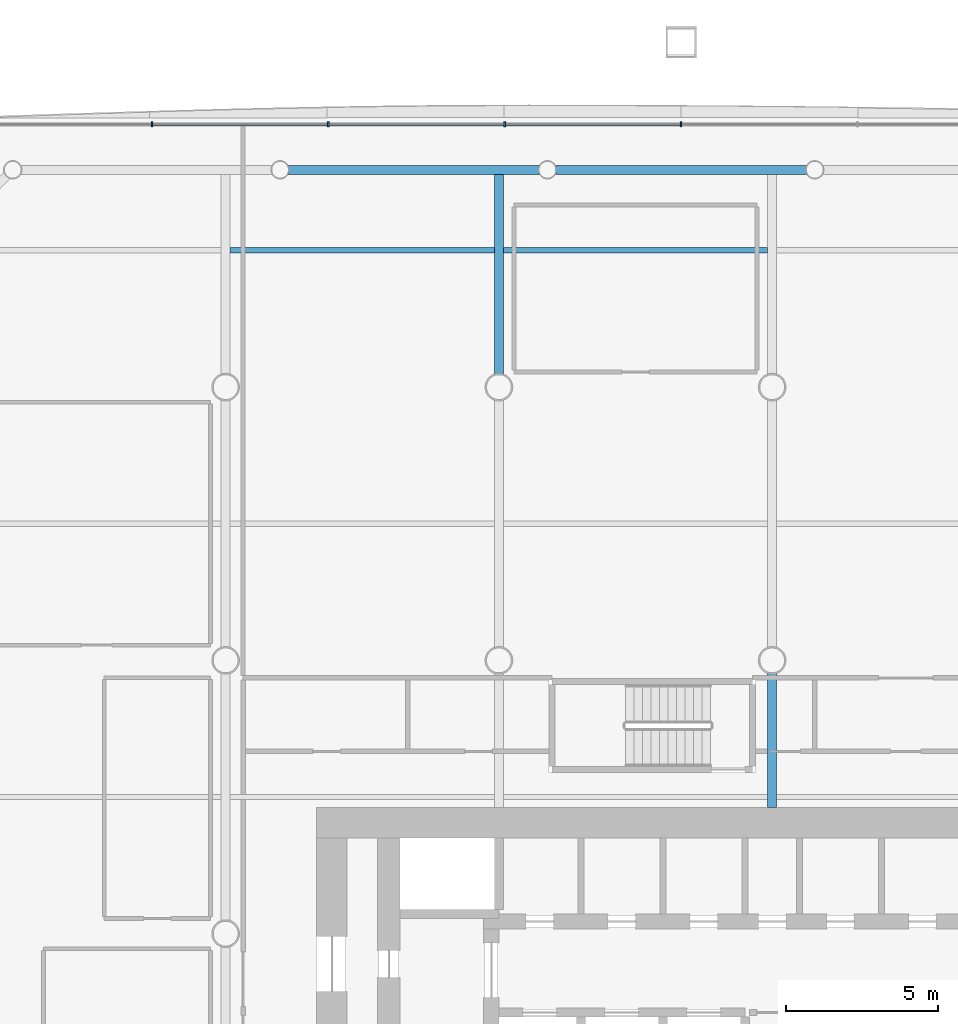
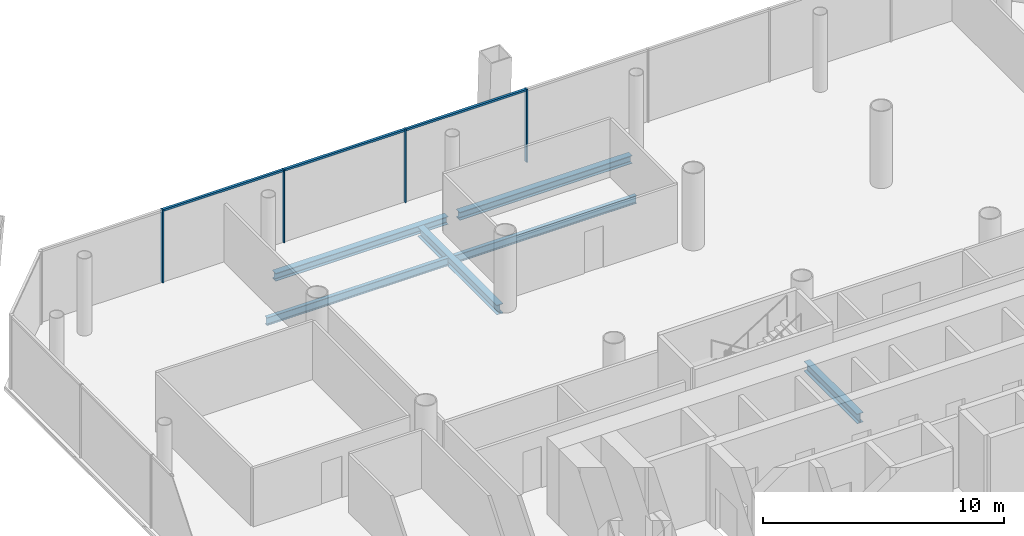
# One storey, part 9 of 21: 7 members, 6 beams, 1 element without a shape of its own.
"""IFC4 building model written with IfcOpenShell, lengths in metres."""

from ifc_helpers import new_model, si_unit, direction, frame, origin, origin_2d, place, context, subcontext, project, spatial, rectangle, i_section, extrude, material, material_profile, profile_set, type_object, element, aggregate, save


model = new_model("IFC4")

# Units and contexts
model_context = context("Model", 3, precision=1e-05, world=origin(), true_north=direction((0.0, 1.0)))
body_context = subcontext(model_context, "Body", "Model", "MODEL_VIEW")
ifc_project = project(units=[si_unit("LENGTHUNIT", "METRE"), si_unit("AREAUNIT", "SQUARE_METRE"), si_unit("VOLUMEUNIT", "CUBIC_METRE"), si_unit("PLANEANGLEUNIT", "RADIAN"), si_unit("MASSUNIT", "GRAM", prefix="KILO")], contexts=[model_context])

# Site, building, storey
site_placement = place(None, origin())
site = spatial("IfcSite", under=ifc_project, at=site_placement, CompositionType="ELEMENT")
building_placement = place(site_placement, origin())
building = spatial("IfcBuilding", under=site, at=building_placement, Name="Tskaro Facet Tower", CompositionType="ELEMENT")
storey_placement = place(building_placement, frame((0.0, 0.0, 42.0)))
storey = spatial("IfcBuildingStorey", under=building, at=storey_placement, Name="L09", CompositionType="ELEMENT", Elevation=42.0)

# Curtain wall, members
ifc_material_1 = material(Name="Bronze anodised aluminium 6063-T6", Category="aluminium")
curtain_wall_type = type_object("IfcCurtainWallType", Name="Bronze office curtain wall (FW1)", PredefinedType="NOTDEFINED", material=ifc_material_1)
curtain_wall_placement = place(storey_placement, origin())
curtain_wall = element("IfcCurtainWall", 1, at=curtain_wall_placement, inside=storey, type_object=curtain_wall_type, Name="FW1 north facet L09", PredefinedType="NOTDEFINED")
ifc_material_profile_1 = material_profile(ifc_material_1, rectangle(XDim=0.06005859375, YDim=0.159912109375, at=origin_2d()), Name="Mullion 60x160")
ifc_profile_set_1 = profile_set([ifc_material_profile_1], Name="Bronze anodised aluminium 6063-T6")
member_type_1 = type_object("IfcMemberType", Name="FW1 bronze mullion 60x160", PredefinedType="MULLION", material=ifc_profile_set_1)
member_1_placement = place(storey_placement, frame((-3.0, 26.654052734375, 0.0), z_axis=(0.0, 0.0, 1.0), x_axis=(-1.0, 0.0, 0.0)))
member_1 = element("IfcMember", 2, at=member_1_placement, type_object=member_type_1, Name="FW1 north mullion 4", PredefinedType="MULLION", context=body_context, shape_type="SweptSolid", body=[
    extrude(rectangle(XDim=0.06005859375, YDim=0.159912109375, at=origin_2d()), origin(), (0.0, 0.0, 1.0), 3.699951171875),
])
member_2_placement = place(storey_placement, frame((-8.808837890625, 26.654052734375, 0.0), z_axis=(0.0, 0.0, 1.0), x_axis=(-1.0, 0.0, 0.0)))
member_2 = element("IfcMember", 3, at=member_2_placement, type_object=member_type_1, Name="FW1 north mullion 5", PredefinedType="MULLION", context=body_context, shape_type="SweptSolid", body=[
    extrude(rectangle(XDim=0.06005859375, YDim=0.159912109375, at=origin_2d()), origin(), (0.0, 0.0, 1.0), 3.699951171875),
])
member_3_placement = place(storey_placement, frame((-14.617431640625, 26.654052734375, 0.0), z_axis=(0.0, 0.0, 1.0), x_axis=(-1.0, 0.0, 0.0)))
member_3 = element("IfcMember", 4, at=member_3_placement, type_object=member_type_1, Name="FW1 north mullion 6", PredefinedType="MULLION", context=body_context, shape_type="SweptSolid", body=[
    extrude(rectangle(XDim=0.06005859375, YDim=0.159912109375, at=origin_2d()), origin(), (0.0, 0.0, 1.0), 3.699951171875),
])
member_4_placement = place(storey_placement, frame((-20.42626953125, 26.654052734375, 0.0), z_axis=(0.0, 0.0, 1.0), x_axis=(-1.0, 0.0, 0.0)))
member_4 = element("IfcMember", 5, at=member_4_placement, type_object=member_type_1, Name="FW1 north mullion 7", PredefinedType="MULLION", context=body_context, shape_type="SweptSolid", body=[
    extrude(rectangle(XDim=0.06005859375, YDim=0.159912109375, at=origin_2d()), origin(), (0.0, 0.0, 1.0), 3.699951171875),
])
ifc_material_profile_2 = material_profile(ifc_material_1, rectangle(XDim=0.1201171875, YDim=0.10009765625, at=origin_2d()), Name="Transom 120x100")
ifc_profile_set_2 = profile_set([ifc_material_profile_2], Name="Bronze anodised aluminium 6063-T6")
member_type_2 = type_object("IfcMemberType", Name="FW1 bronze transom 120x100", PredefinedType="USERDEFINED", material=ifc_profile_set_2)
member_5_placement = place(storey_placement, frame((-3.030029296875, 26.654052734375, 3.64990234375), z_axis=(-1.0, 0.0, 0.0), x_axis=(0.0, -1.0, 0.0)))
member_5 = element("IfcMember", 6, at=member_5_placement, type_object=member_type_2, Name="FW1 north transom 5.1", ObjectType="TRANSOM", PredefinedType="USERDEFINED", context=body_context, shape_type="SweptSolid", body=[
    extrude(rectangle(XDim=0.1201171875, YDim=0.10009765625, at=origin_2d()), origin(), (0.0, 0.0, 1.0), 5.748779296875),
])
member_6_placement = place(storey_placement, frame((-8.8388671875, 26.654052734375, 3.64990234375), z_axis=(-1.0, 0.0, 0.0), x_axis=(0.0, -1.0, 0.0)))
member_6 = element("IfcMember", 7, at=member_6_placement, type_object=member_type_2, Name="FW1 north transom 6.1", ObjectType="TRANSOM", PredefinedType="USERDEFINED", context=body_context, shape_type="SweptSolid", body=[
    extrude(rectangle(XDim=0.1201171875, YDim=0.10009765625, at=origin_2d()), origin(), (0.0, 0.0, 1.0), 5.74853515625),
])
member_7_placement = place(storey_placement, frame((-14.6474609375, 26.654052734375, 3.64990234375), z_axis=(-1.0, 0.0, 0.0), x_axis=(0.0, -1.0, 0.0)))
member_7 = element("IfcMember", 8, at=member_7_placement, type_object=member_type_2, Name="FW1 north transom 7.1", ObjectType="TRANSOM", PredefinedType="USERDEFINED", context=body_context, shape_type="SweptSolid", body=[
    extrude(rectangle(XDim=0.1201171875, YDim=0.10009765625, at=origin_2d()), origin(), (0.0, 0.0, 1.0), 5.748779296875),
])
aggregate(curtain_wall, [member_1, member_2, member_3, member_4, member_5, member_6, member_7])

# Beams
ifc_material_2 = material(Name="Steel S355J2", Category="steel")
ifc_material_profile_3 = material_profile(ifc_material_2, i_section(OverallWidth=0.300048828125, OverallDepth=0.39990234375, WebThickness=0.013427734375, FlangeThickness=0.02392578125, FilletRadius=0.027099609375, at=origin_2d()), Name="HE 400 B")
ifc_profile_set_3 = profile_set([ifc_material_profile_3], Name="Steel S355J2")
beam_type_1 = type_object("IfcBeamType", Name="HE 400 B ring beam", PredefinedType="BEAM", material=ifc_profile_set_3)
beam_1_placement = place(storey_placement, frame((1.126953125, 25.156982421875, -0.340087890625), z_axis=(-1.0, 0.0, 0.0), x_axis=(0.0, -1.0, 0.0)))
element("IfcBeam", 9, at=beam_1_placement, inside=storey, type_object=beam_type_1, Name="HE 400 B EB16-1", PredefinedType="BEAM", context=body_context, shape_type="SweptSolid", body=[
    extrude(i_section(OverallWidth=0.300048828125, OverallDepth=0.39990234375, WebThickness=0.013427734375, FlangeThickness=0.02392578125, FilletRadius=0.027099609375, at=origin_2d()), origin(), (0.0, 0.0, 1.0), 8.25390625),
])
beam_2_placement = place(storey_placement, frame((-7.677001953125, 25.156982421875, -0.340087890625), z_axis=(-1.0, 0.0, 0.0), x_axis=(0.0, -1.0, 0.0)))
element("IfcBeam", 10, at=beam_2_placement, inside=storey, type_object=beam_type_1, Name="HE 400 B EB17-1", PredefinedType="BEAM", context=body_context, shape_type="SweptSolid", body=[
    extrude(i_section(OverallWidth=0.300048828125, OverallDepth=0.39990234375, WebThickness=0.013427734375, FlangeThickness=0.02392578125, FilletRadius=0.027099609375, at=origin_2d()), origin(), (0.0, 0.0, 1.0), 8.2548828125),
])
ifc_material_profile_4 = material_profile(ifc_material_2, i_section(OverallWidth=0.300048828125, OverallDepth=0.489990234375, WebThickness=0.011962890625, FlangeThickness=0.02294921875, FilletRadius=0.027099609375, at=origin_2d()), Name="HE 500 A")
ifc_profile_set_4 = profile_set([ifc_material_profile_4], Name="Steel S355J2")
beam_type_2 = type_object("IfcBeamType", Name="HE 500 A girder", PredefinedType="BEAM", material=ifc_profile_set_4)
beam_3_placement = place(storey_placement, frame((-9.0, 18.42724609375, -0.385009765625), z_axis=(0.0, 1.0, 0.0), x_axis=(-1.0, 0.0, 0.0)))
element("IfcBeam", 11, at=beam_3_placement, inside=storey, type_object=beam_type_2, Name="HE 500 A GB3-5-1", PredefinedType="BEAM", context=body_context, shape_type="SweptSolid", body=[
    extrude(i_section(OverallWidth=0.300048828125, OverallDepth=0.489990234375, WebThickness=0.011962890625, FlangeThickness=0.02294921875, FilletRadius=0.027099609375, at=origin_2d()), origin(), (0.0, 0.0, 1.0), 6.579833984375),
])
beam_4_placement = place(storey_placement, frame((0.0, 4.14990234375, -0.385009765625), z_axis=(0.0, 1.0, 0.0), x_axis=(-1.0, 0.0, 0.0)))
element("IfcBeam", 12, at=beam_4_placement, inside=storey, type_object=beam_type_2, Name="HE 500 A GB4-3-1", PredefinedType="BEAM", context=body_context, shape_type="SweptSolid", body=[
    extrude(i_section(OverallWidth=0.300048828125, OverallDepth=0.489990234375, WebThickness=0.011962890625, FlangeThickness=0.02294921875, FilletRadius=0.027099609375, at=origin_2d()), origin(), (0.0, 0.0, 1.0), 4.4228515625),
])
ifc_material_profile_5 = material_profile(ifc_material_2, i_section(OverallWidth=0.179931640625, OverallDepth=0.39990234375, WebThickness=0.008544921875, FlangeThickness=0.013427734375, FilletRadius=0.02099609375, at=origin_2d()), Name="IPE 400")
ifc_profile_set_5 = profile_set([ifc_material_profile_5], Name="Steel S355J2")
beam_type_3 = type_object("IfcBeamType", Name="IPE 400 secondary beam", PredefinedType="BEAM", material=ifc_profile_set_5)
for number, where, z_axis, x_axis, name in (
    (13, (-17.85009765625, 22.5, -0.340087890625), (1.0, 0.0, 0.0), (0.0, 1.0, 0.0), "IPE 400 SB6a-2-1"),
    (14, (-8.85009765625, 22.5, -0.340087890625), (1.0, 0.0, 0.0), (0.0, 1.0, 0.0), "IPE 400 SB6a-3-1"),
):
    element("IfcBeam", number, at=place(storey_placement, frame(where, z_axis=z_axis, x_axis=x_axis)), inside=storey, type_object=beam_type_3, Name=name, PredefinedType="BEAM", context=body_context, shape_type="SweptSolid", body=[
        extrude(i_section(OverallWidth=0.179931640625, OverallDepth=0.39990234375, WebThickness=0.008544921875, FlangeThickness=0.013427734375, FilletRadius=0.02099609375, at=origin_2d()), origin(), (0.0, 0.0, 1.0), 8.7001953125),
    ])

save(model, "model.ifc")
